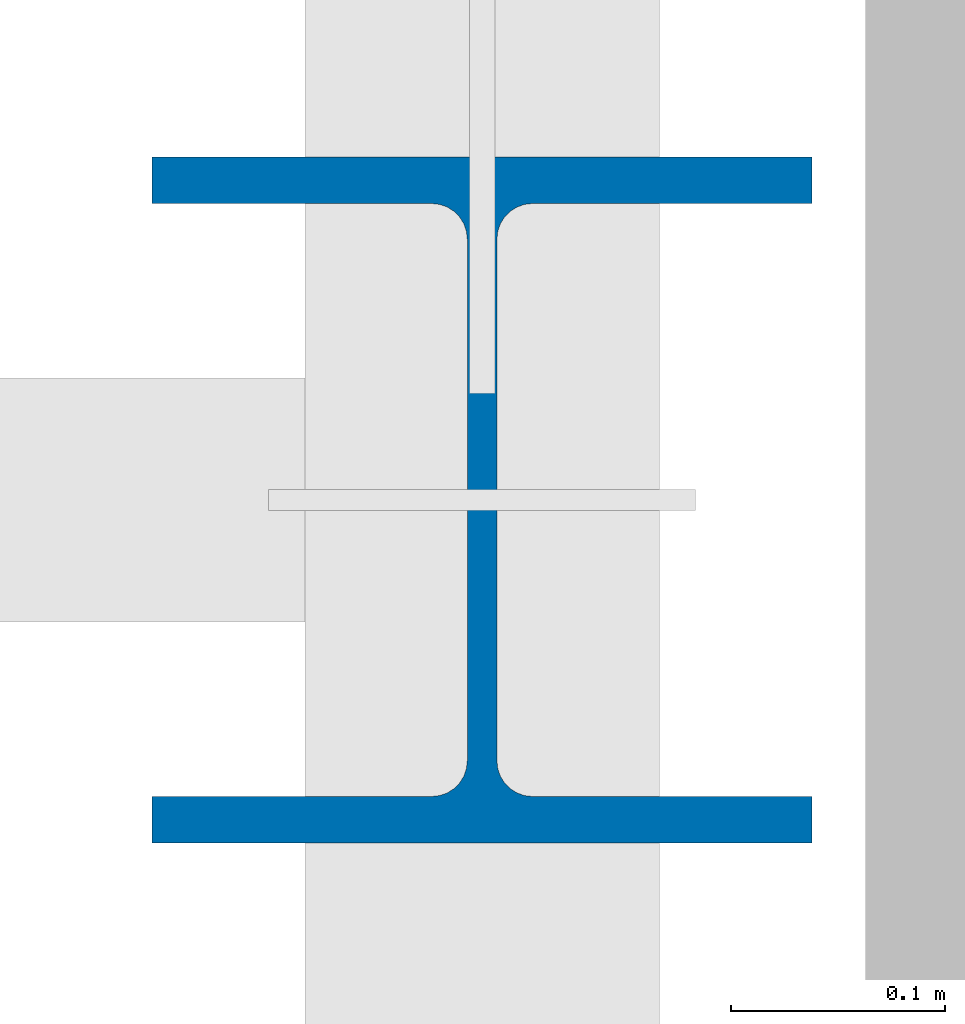
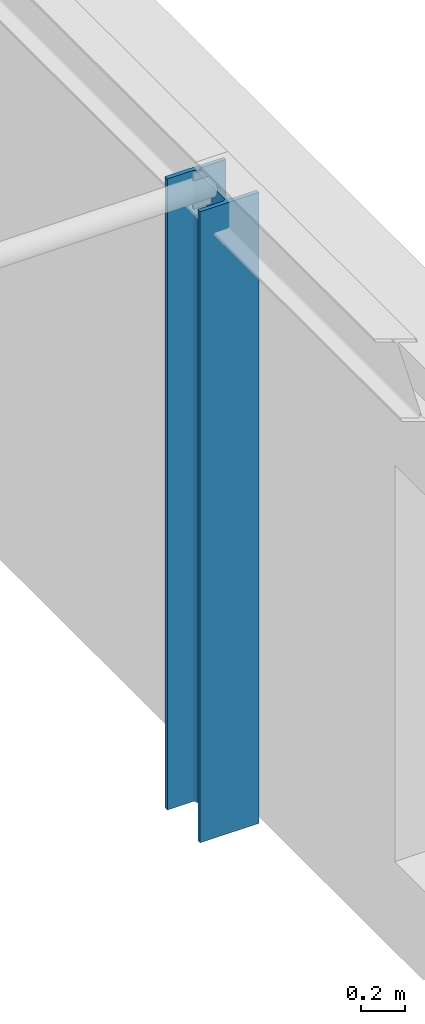
# One storey, part 4 of 59: 1 column.
"""IFC4 building model written with IfcOpenShell, lengths in metres."""

from ifc_helpers import new_model, si_unit, direction, frame, origin, origin_2d, place, context, subcontext, project, spatial, i_section, extrude, material, material_profile, profile_set, type_object, element, save


model = new_model("IFC4")

# Units and contexts
model_context = context("Model", 3, precision=1e-05, world=origin(), true_north=direction((0.0, 1.0)))
body_context = subcontext(model_context, "Body", "Model", "MODEL_VIEW")
ifc_project = project(units=[si_unit("LENGTHUNIT", "METRE"), si_unit("AREAUNIT", "SQUARE_METRE"), si_unit("VOLUMEUNIT", "CUBIC_METRE"), si_unit("PLANEANGLEUNIT", "RADIAN"), si_unit("MASSUNIT", "GRAM", prefix="KILO")], contexts=[model_context])

# Site, building, storey
site_placement = place(None, origin())
site = spatial("IfcSite", under=ifc_project, at=site_placement, CompositionType="ELEMENT")
building_placement = place(site_placement, origin())
building = spatial("IfcBuilding", under=site, at=building_placement, Name="Hortulan Conservatory and Botanical Research Centre", CompositionType="ELEMENT")
storey_placement = place(building_placement, frame((0.0, 0.0, 10.5)))
storey = spatial("IfcBuildingStorey", under=building, at=storey_placement, Name="L02", CompositionType="ELEMENT", Elevation=10.5)

# Column
ifc_material = material(Name="Steel Grade 300PLUS (AS/NZS 3679.1, 280 MPa minimum yield)", Category="steel")
ifc_material_profile = material_profile(ifc_material, i_section(OverallWidth=0.30908203125, OverallDepth=0.321044921875, WebThickness=0.013916015625, FlangeThickness=0.021728515625, FilletRadius=0.0166015625, at=origin_2d()), Name="310UC137")
ifc_profile_set = profile_set([ifc_material_profile], Name="Steel Grade 300PLUS (AS/NZS 3679.1, 280 MPa minimum yield)")
column_type = type_object("IfcColumnType", Name="Auditorium Column 310UC137", PredefinedType="COLUMN", material=ifc_profile_set)
column_placement = place(storey_placement, frame((108.0, 54.0, 0.0), z_axis=(0.0, 0.0, 1.0), x_axis=(1.0, 0.0, 0.0)))
element("IfcColumn", 1, at=column_placement, inside=storey, type_object=column_type, Name="310UC137 column", PredefinedType="COLUMN", context=body_context, shape_type="SweptSolid", body=[
    extrude(i_section(OverallWidth=0.30908203125, OverallDepth=0.321044921875, WebThickness=0.013916015625, FlangeThickness=0.021728515625, FilletRadius=0.0166015625, at=origin_2d()), origin(), (0.0, 0.0, 1.0), 3.5),
])

save(model, "model.ifc")
